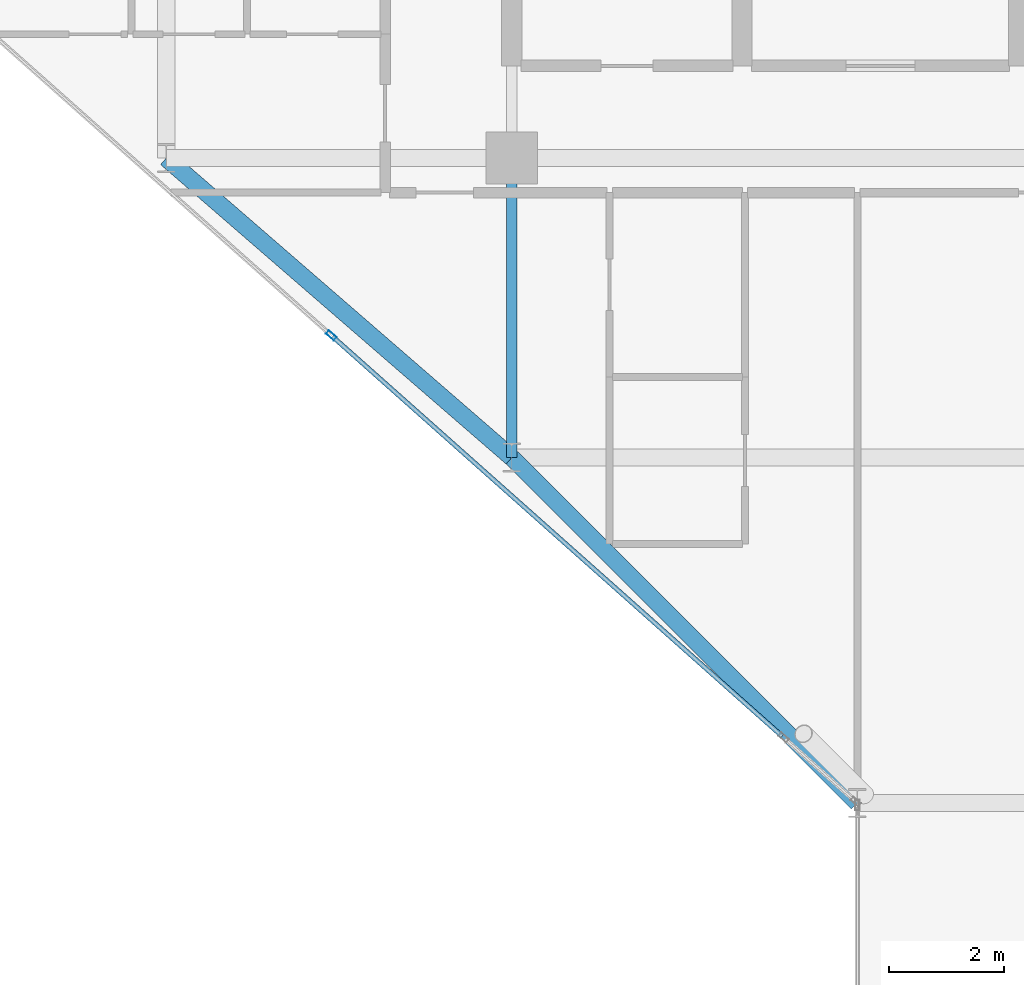
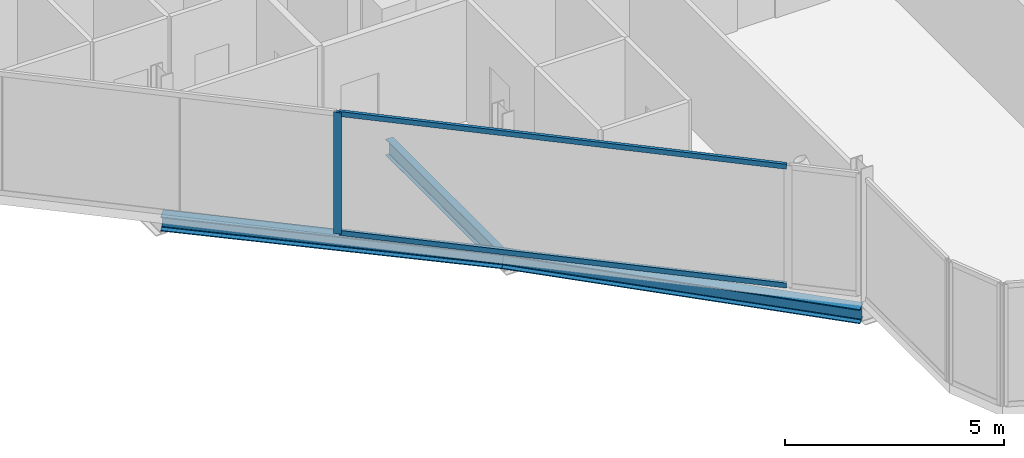
# One storey, part 4 of 31: 3 beams, 3 members, 1 element without a shape of its own.
"""IFC4 building model written with IfcOpenShell, lengths in metres."""

from ifc_helpers import new_model, si_unit, direction, frame, origin, origin_2d, place, context, subcontext, project, spatial, hollow_rectangle, i_section, extrude, material, layer, layer_set, material_profile, profile_set, type_object, element, aggregate, save


model = new_model("IFC4")

# Units and contexts
model_context = context("Model", 3, precision=1e-05, world=origin(), true_north=direction((0.0, 1.0)))
body_context = subcontext(model_context, "Body", "Model", "MODEL_VIEW")
ifc_project = project(units=[si_unit("LENGTHUNIT", "METRE"), si_unit("AREAUNIT", "SQUARE_METRE"), si_unit("VOLUMEUNIT", "CUBIC_METRE"), si_unit("PLANEANGLEUNIT", "RADIAN"), si_unit("MASSUNIT", "GRAM", prefix="KILO")], contexts=[model_context])

# Site, building, storey
site_placement = place(None, origin())
site = spatial("IfcSite", under=ifc_project, at=site_placement, CompositionType="ELEMENT")
building_placement = place(site_placement, origin())
building = spatial("IfcBuilding", under=site, at=building_placement, Name="Keshet Zoharim Tower", CompositionType="ELEMENT")
storey_placement = place(building_placement, frame((0.0, 0.0, 129.800048828125)))
storey = spatial("IfcBuildingStorey", under=building, at=storey_placement, Name="L31", CompositionType="ELEMENT", Elevation=129.800048828125)

# Beams
ifc_material_1 = material(Name="Steel S355", Category="steel")
ifc_material_profile_1 = material_profile(ifc_material_1, i_section(OverallWidth=0.18994140625, OverallDepth=0.449951171875, WebThickness=0.009521484375, FlangeThickness=0.0146484375, FilletRadius=0.02099609375, at=origin_2d()), Name="IPE450")
ifc_profile_set_1 = profile_set([ifc_material_profile_1], Name="Steel S355")
beam_type_1 = type_object("IfcBeamType", Name="BM-PRI-IP450", PredefinedType="BEAM", material=ifc_profile_set_1)
beam_1_placement = place(storey_placement, frame((15.0, 12.699951171875, -0.5400390625), z_axis=(0.0, 1.0, 0.0), x_axis=(-1.0, 0.0, 0.0)))
element("IfcBeam", 1, at=beam_1_placement, inside=storey, type_object=beam_type_1, Name="L31 Primary Girder Y-002", PredefinedType="BEAM", context=body_context, shape_type="SweptSolid", body=[
    extrude(i_section(OverallWidth=0.18994140625, OverallDepth=0.449951171875, WebThickness=0.009521484375, FlangeThickness=0.0146484375, FilletRadius=0.02099609375, at=origin_2d()), origin(), (0.0, 0.0, 1.0), 5.199951171875),
])
ifc_material_profile_2 = material_profile(ifc_material_1, i_section(OverallWidth=0.300048828125, OverallDepth=0.39990234375, WebThickness=0.013427734375, FlangeThickness=0.02392578125, FilletRadius=0.027099609375, at=origin_2d()), Name="HEB400")
ifc_profile_set_2 = profile_set([ifc_material_profile_2], Name="Steel S355")
beam_type_2 = type_object("IfcBeamType", Name="BM-SPN-HB400", PredefinedType="SPANDREL", material=ifc_profile_set_2)
beam_2_placement = place(storey_placement, frame((21.0, 6.699951171875, -0.51513671875), z_axis=(-0.707106781187, 0.707106781187, 0.0), x_axis=(-0.707106781187, -0.707106781187, 0.0)))
element("IfcBeam", 2, at=beam_2_placement, inside=storey, type_object=beam_type_2, Name="L31 Perimeter Spandrel Beam 01", PredefinedType="SPANDREL", context=body_context, shape_type="SweptSolid", body=[
    extrude(i_section(OverallWidth=0.300048828125, OverallDepth=0.39990234375, WebThickness=0.013427734375, FlangeThickness=0.02392578125, FilletRadius=0.027099609375, at=origin_2d()), origin(), (0.0, 0.0, 1.0), 8.4853515625),
])
beam_3_placement = place(storey_placement, frame((9.0, 17.89990234375, -0.51513671875), z_axis=(0.755692126483, -0.654927026447, 0.0), x_axis=(0.654927026447, 0.755692126483, 0.0)))
element("IfcBeam", 3, at=beam_3_placement, inside=storey, type_object=beam_type_2, Name="L31 Perimeter Spandrel Beam 02", PredefinedType="SPANDREL", context=body_context, shape_type="SweptSolid", body=[
    extrude(i_section(OverallWidth=0.300048828125, OverallDepth=0.39990234375, WebThickness=0.013427734375, FlangeThickness=0.02392578125, FilletRadius=0.027099609375, at=origin_2d()), origin(), (0.0, 0.0, 1.0), 7.939697265625),
])

# Curtain wall, members
ifc_material_2 = material(Name="Aluminium 6063-T6", Category="aluminium")
ifc_layer = layer(ifc_material_2, 0.159912109375)
ifc_layer_set = layer_set([ifc_layer], Name="Aluminium 6063-T6")
curtain_wall_type = type_object("IfcCurtainWallType", Name="CW-SYS-03", PredefinedType="NOTDEFINED", material=ifc_layer_set)
curtain_wall_placement = place(storey_placement, origin())
curtain_wall = element("IfcCurtainWall", 4, at=curtain_wall_placement, inside=storey, type_object=curtain_wall_type, Name="L31 Unitised Curtain Wall 07 Part 2", PredefinedType="NOTDEFINED")
ifc_material_profile_3 = material_profile(ifc_material_2, hollow_rectangle(XDim=0.080078125, YDim=0.179931640625, WallThickness=0.00439453125, at=origin_2d()), Name="MUL-80x180")
ifc_profile_set_3 = profile_set([ifc_material_profile_3], Name="Aluminium 6063-T6")
member_type_1 = type_object("IfcMemberType", Name="CWM-M18", PredefinedType="MULLION", material=ifc_profile_set_3)
member_1_placement = place(storey_placement, frame((11.864990234375, 14.820068359375, 0.0), z_axis=(0.0, 0.0, 1.0), x_axis=(-0.664363542589, -0.747409582009, 0.0)))
member_1 = element("IfcMember", 5, at=member_1_placement, type_object=member_type_1, Name="CW-03 mullion 2", PredefinedType="MULLION", context=body_context, shape_type="SweptSolid", body=[
    extrude(hollow_rectangle(XDim=0.080078125, YDim=0.179931640625, WallThickness=0.00439453125, at=origin_2d()), origin(), (0.0, 0.0, 1.0), 3.385009765625),
])
ifc_material_profile_4 = material_profile(ifc_material_2, hollow_rectangle(XDim=0.080078125, YDim=0.139892578125, WallThickness=0.00390625, at=origin_2d()), Name="TRN-80x140")
ifc_profile_set_4 = profile_set([ifc_material_profile_4], Name="Aluminium 6063-T6")
member_type_2 = type_object("IfcMemberType", Name="CWT-T14", PredefinedType="USERDEFINED", material=ifc_profile_set_4)
member_2_placement = place(storey_placement, frame((19.69482421875, 7.860107421875, 0.034912109375), z_axis=(-0.747402868264, 0.664371095482, 0.0), x_axis=(-0.664371095482, -0.747402868264, 0.0)))
member_2 = element("IfcMember", 6, at=member_2_placement, type_object=member_type_2, Name="CW-03 transom 1.1", ObjectType="TRANSOM", PredefinedType="USERDEFINED", context=body_context, shape_type="SweptSolid", body=[
    extrude(hollow_rectangle(XDim=0.080078125, YDim=0.139892578125, WallThickness=0.00390625, at=origin_2d()), origin(), (0.0, 0.0, 1.0), 10.441162109375),
])
member_3_placement = place(storey_placement, frame((19.69482421875, 7.860107421875, 3.349853515625), z_axis=(-0.747402868264, 0.664371095482, 0.0), x_axis=(-0.664371095482, -0.747402868264, 0.0)))
member_3 = element("IfcMember", 7, at=member_3_placement, type_object=member_type_2, Name="CW-03 transom 1.2", ObjectType="TRANSOM", PredefinedType="USERDEFINED", context=body_context, shape_type="SweptSolid", body=[
    extrude(hollow_rectangle(XDim=0.080078125, YDim=0.139892578125, WallThickness=0.00390625, at=origin_2d()), origin(), (0.0, 0.0, 1.0), 10.441162109375),
])
aggregate(curtain_wall, [member_1, member_2, member_3])

save(model, "model.ifc")
